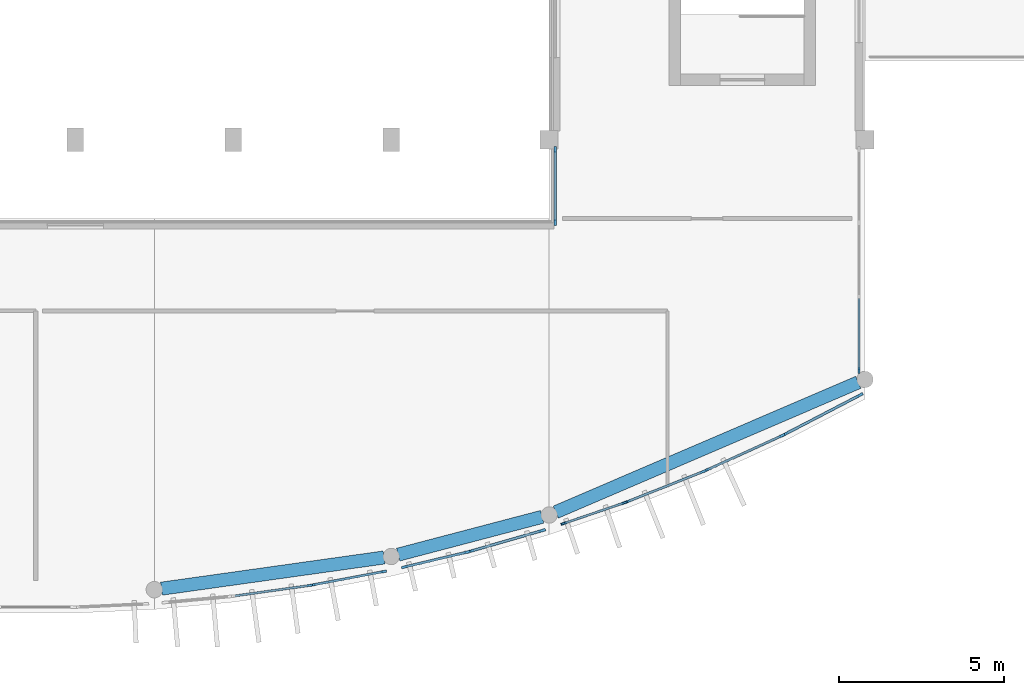
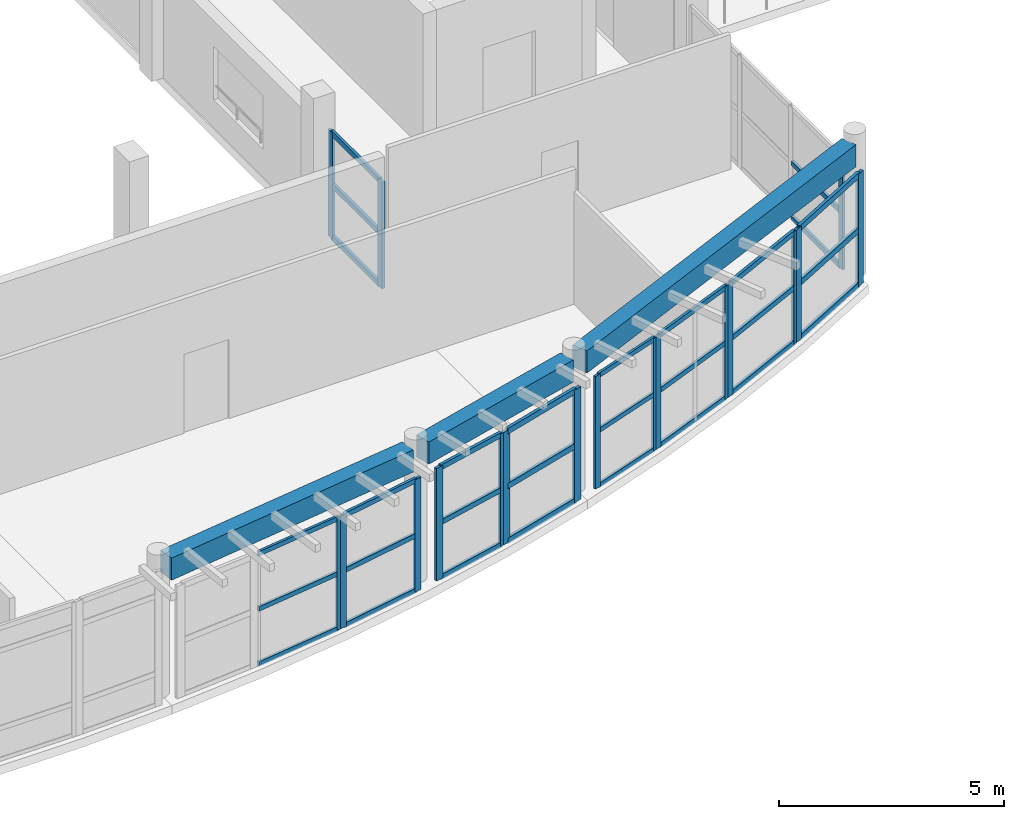
# One storey, part 6 of 32: 47 members, 3 beams, 10 elements without a shape of their own.
"""IFC4 building model written with IfcOpenShell, lengths in metres."""

from ifc_helpers import new_model, si_unit, direction, frame, origin, origin_2d, place, context, subcontext, project, spatial, rectangle, extrude, material, layer, layer_set, material_profile, profile_set, type_object, element, aggregate, save


model = new_model("IFC4")

# Units and contexts
model_context = context("Model", 3, precision=1e-05, world=origin(), true_north=direction((0.0, 1.0)))
body_context = subcontext(model_context, "Body", "Model", "MODEL_VIEW")
ifc_project = project(units=[si_unit("LENGTHUNIT", "METRE"), si_unit("AREAUNIT", "SQUARE_METRE"), si_unit("VOLUMEUNIT", "CUBIC_METRE"), si_unit("PLANEANGLEUNIT", "RADIAN"), si_unit("MASSUNIT", "GRAM", prefix="KILO")], contexts=[model_context])

# Site, building, storey
site_placement = place(None, origin())
site = spatial("IfcSite", under=ifc_project, at=site_placement, CompositionType="ELEMENT")
building_placement = place(site_placement, origin())
building = spatial("IfcBuilding", under=site, at=building_placement, Name="Brisavento Harbour Community Centre", CompositionType="ELEMENT")
storey_placement = place(building_placement, frame((0.0, 0.0, 12.89990234375)))
storey = spatial("IfcBuildingStorey", under=building, at=storey_placement, Name="L03", CompositionType="ELEMENT", Elevation=12.89990234375)

# Beams
ifc_material_1 = material(Name="Concrete C35/45", Category="concrete")
ifc_material_profile_1 = material_profile(ifc_material_1, rectangle(XDim=0.39990234375, YDim=0.60009765625, at=origin_2d()), Name="Concrete C35/45")
ifc_profile_set_1 = profile_set([ifc_material_profile_1], Name="Concrete C35/45")
beam_type = type_object("IfcBeamType", Name="BM-SPN-400x600", PredefinedType="SPANDREL", material=ifc_profile_set_1)
beam_1_placement = place(storey_placement, frame((29.017822265625, 0.75537109375, 3.360107421875), z_axis=(0.990321318847, 0.138793679386, 0.0), x_axis=(-0.138793679386, 0.990321318847, 0.0)))
element("IfcBeam", 1, at=beam_1_placement, inside=storey, type_object=beam_type, Name="L03 curved perimeter spandrel 0678", PredefinedType="SPANDREL", context=body_context, shape_type="SweptSolid", body=[
    extrude(rectangle(XDim=0.39990234375, YDim=0.60009765625, at=origin_2d()), origin(), (0.0, 0.0, 1.0), 6.830322265625),
])
beam_2_placement = place(storey_placement, frame((36.212890625, 1.789794921875, 3.360107421875), z_axis=(0.967167470078, 0.254139892232, 0.0), x_axis=(-0.254139892232, 0.967167470078, 0.0)))
element("IfcBeam", 2, at=beam_2_placement, inside=storey, type_object=beam_type, Name="L03 curved perimeter spandrel 0679", PredefinedType="SPANDREL", context=body_context, shape_type="SweptSolid", body=[
    extrude(rectangle(XDim=0.39990234375, YDim=0.60009765625, at=origin_2d()), origin(), (0.0, 0.0, 1.0), 4.522705078125),
])
beam_3_placement = place(storey_placement, frame((41.002197265625, 3.081787109375, 3.360107421875), z_axis=(0.918969522078, 0.394328565401, 0.0), x_axis=(-0.394328565401, 0.918969522078, 0.0)))
element("IfcBeam", 3, at=beam_3_placement, inside=storey, type_object=beam_type, Name="L03 curved perimeter spandrel 0680", PredefinedType="SPANDREL", context=body_context, shape_type="SweptSolid", body=[
    extrude(rectangle(XDim=0.39990234375, YDim=0.60009765625, at=origin_2d()), origin(), (0.0, 0.0, 1.0), 10.00634765625),
])

# Curtain wall, member
ifc_material_2 = material(Name="Marine-anodised aluminium AW-6063-T6", Category="aluminium")
ifc_layer_1 = layer(ifc_material_2, 0.179931640625, Name="Marine-anodised aluminium AW-6063-T6")
ifc_layer_set_1 = layer_set([ifc_layer_1], Name="Marine-anodised aluminium AW-6063-T6")
curtain_wall_type_1 = type_object("IfcCurtainWallType", Name="CW-SYS-25", PredefinedType="USERDEFINED", material=ifc_layer_set_1)
curtain_wall_1_placement = place(storey_placement, origin())
curtain_wall_1 = element("IfcCurtainWall", 4, at=curtain_wall_1_placement, inside=storey, type_object=curtain_wall_type_1, Name="L03 V1 unitised curtain wall 165", ObjectType="UNITISED CURTAIN WALL", PredefinedType="USERDEFINED")
ifc_material_profile_2 = material_profile(ifc_material_2, rectangle(XDim=0.06494140625, YDim=0.1650390625, at=origin_2d()), Name="Marine-anodised aluminium AW-6063-T6")
ifc_profile_set_2 = profile_set([ifc_material_profile_2], Name="Marine-anodised aluminium AW-6063-T6")
member_type_1 = type_object("IfcMemberType", Name="CWM-01", PredefinedType="MULLION", material=ifc_profile_set_2)
member_1_placement = place(storey_placement, frame((33.525146484375, 0.854248046875, 0.0), z_axis=(0.0, 0.0, 1.0), x_axis=(0.138476944024, -0.990365657711, 0.0)))
member_1 = element("IfcMember", 5, at=member_1_placement, type_object=member_type_1, Name="CW-25 mullion 1", PredefinedType="MULLION", context=body_context, shape_type="SweptSolid", body=[
    extrude(rectangle(XDim=0.06494140625, YDim=0.1650390625, at=origin_2d()), origin(), (0.0, 0.0, 1.0), 3.06005859375),
])

# Curtain wall, members
ifc_layer_2 = layer(ifc_material_2, 0.179931640625, Name="Marine-anodised aluminium AW-6063-T6")
ifc_layer_set_2 = layer_set([ifc_layer_2], Name="Marine-anodised aluminium AW-6063-T6")
curtain_wall_type_2 = type_object("IfcCurtainWallType", Name="CW-SYS-01", PredefinedType="USERDEFINED", material=ifc_layer_set_2)
curtain_wall_2_placement = place(storey_placement, origin())
curtain_wall_2 = element("IfcCurtainWall", 6, at=curtain_wall_2_placement, inside=storey, type_object=curtain_wall_type_2, Name="L03 V1 unitised curtain wall 169", ObjectType="UNITISED CURTAIN WALL", PredefinedType="USERDEFINED")
member_2_placement = place(storey_placement, frame((43.093994140625, 3.368896484375, 0.0), z_axis=(0.0, 0.0, 1.0), x_axis=(0.323178425743, -0.946338050136, 0.0)))
member_2 = element("IfcMember", 7, at=member_2_placement, type_object=member_type_1, Name="CW-01 mullion 1", PredefinedType="MULLION", context=body_context, shape_type="SweptSolid", body=[
    extrude(rectangle(XDim=0.06494140625, YDim=0.1650390625, at=origin_2d()), origin(), (0.0, 0.0, 1.0), 3.06005859375),
])
member_3_placement = place(storey_placement, frame((41.2421875, 2.736328125, 0.0), z_axis=(0.0, 0.0, 1.0), x_axis=(0.323178425743, -0.946338050136, 0.0)))
member_3 = element("IfcMember", 8, at=member_3_placement, type_object=member_type_1, Name="CW-01 mullion 2", PredefinedType="MULLION", context=body_context, shape_type="SweptSolid", body=[
    extrude(rectangle(XDim=0.06494140625, YDim=0.1650390625, at=origin_2d()), origin(), (0.0, 0.0, 1.0), 3.06005859375),
])

ifc_layer_3 = layer(ifc_material_2, 0.179931640625, Name="Marine-anodised aluminium AW-6063-T6")
ifc_layer_set_3 = layer_set([ifc_layer_3], Name="Marine-anodised aluminium AW-6063-T6")
curtain_wall_type_3 = type_object("IfcCurtainWallType", Name="CW-SYS-26", PredefinedType="USERDEFINED", material=ifc_layer_set_3)
curtain_wall_3_placement = place(storey_placement, origin())
curtain_wall_3 = element("IfcCurtainWall", 9, at=curtain_wall_3_placement, inside=storey, type_object=curtain_wall_type_3, Name="L03 V1 unitised curtain wall 166", ObjectType="UNITISED CURTAIN WALL", PredefinedType="USERDEFINED")
ifc_material_profile_3 = material_profile(ifc_material_2, rectangle(XDim=0.070068359375, YDim=0.179931640625, at=origin_2d()), Name="Marine-anodised aluminium AW-6063-T6")
ifc_profile_set_3 = profile_set([ifc_material_profile_3], Name="Marine-anodised aluminium AW-6063-T6")
member_type_2 = type_object("IfcMemberType", Name="CWM-02", PredefinedType="MULLION", material=ifc_profile_set_3)
member_4_placement = place(storey_placement, frame((35.76904296875, 1.273681640625, 0.0), z_axis=(0.0, 0.0, 1.0), x_axis=(0.184689637418, -0.982796895513, 0.0)))
member_4 = element("IfcMember", 10, at=member_4_placement, type_object=member_type_2, Name="CW-26 mullion 1", PredefinedType="MULLION", context=body_context, shape_type="SweptSolid", body=[
    extrude(rectangle(XDim=0.070068359375, YDim=0.179931640625, at=origin_2d()), origin(), (0.0, 0.0, 1.0), 3.06005859375),
])
member_5_placement = place(storey_placement, frame((33.618896484375, 0.86962890625, 0.0), z_axis=(0.0, 0.0, 1.0), x_axis=(0.184689637418, -0.982796895513, 0.0)))
member_5 = element("IfcMember", 11, at=member_5_placement, type_object=member_type_2, Name="CW-26 mullion 2", PredefinedType="MULLION", context=body_context, shape_type="SweptSolid", body=[
    extrude(rectangle(XDim=0.070068359375, YDim=0.179931640625, at=origin_2d()), origin(), (0.0, 0.0, 1.0), 3.06005859375),
])

ifc_layer_4 = layer(ifc_material_2, 0.179931640625, Name="Marine-anodised aluminium AW-6063-T6")
ifc_layer_set_4 = layer_set([ifc_layer_4], Name="Marine-anodised aluminium AW-6063-T6")
curtain_wall_type_4 = type_object("IfcCurtainWallType", Name="CW-SYS-02", PredefinedType="USERDEFINED", material=ifc_layer_set_4)
curtain_wall_4_placement = place(storey_placement, origin())
curtain_wall_4 = element("IfcCurtainWall", 12, at=curtain_wall_4_placement, inside=storey, type_object=curtain_wall_type_4, Name="L03 V1 unitised curtain wall 170", ObjectType="UNITISED CURTAIN WALL", PredefinedType="USERDEFINED")
member_6_placement = place(storey_placement, frame((45.484375, 4.31640625, 0.0), z_axis=(0.0, 0.0, 1.0), x_axis=(0.369379094613, -0.929278798027, 0.0)))
member_6 = element("IfcMember", 13, at=member_6_placement, type_object=member_type_2, Name="CW-02 mullion 1", PredefinedType="MULLION", context=body_context, shape_type="SweptSolid", body=[
    extrude(rectangle(XDim=0.070068359375, YDim=0.179931640625, at=origin_2d()), origin(), (0.0, 0.0, 1.0), 3.06005859375),
])
member_7_placement = place(storey_placement, frame((43.1826171875, 3.401611328125, 0.0), z_axis=(0.0, 0.0, 1.0), x_axis=(0.369379094613, -0.929278798027, 0.0)))
member_7 = element("IfcMember", 14, at=member_7_placement, type_object=member_type_2, Name="CW-02 mullion 2", PredefinedType="MULLION", context=body_context, shape_type="SweptSolid", body=[
    extrude(rectangle(XDim=0.070068359375, YDim=0.179931640625, at=origin_2d()), origin(), (0.0, 0.0, 1.0), 3.06005859375),
])

# Curtain wall, member
ifc_layer_5 = layer(ifc_material_2, 0.179931640625, Name="Marine-anodised aluminium AW-6063-T6")
ifc_layer_set_5 = layer_set([ifc_layer_5], Name="Marine-anodised aluminium AW-6063-T6")
curtain_wall_type_5 = type_object("IfcCurtainWallType", Name="CW-SYS-06", PredefinedType="USERDEFINED", material=ifc_layer_set_5)
curtain_wall_5_placement = place(storey_placement, origin())
curtain_wall_5 = element("IfcCurtainWall", 15, at=curtain_wall_5_placement, inside=storey, type_object=curtain_wall_type_5, Name="L03 V1 unitised curtain wall 174", ObjectType="UNITISED CURTAIN WALL", PredefinedType="USERDEFINED")
member_8_placement = place(storey_placement, frame((50.219970703125, 7.38427734375, 0.0), z_axis=(0.0, 0.0, 1.0), x_axis=(1.0, 0.0, 0.0)))
member_8 = element("IfcMember", 16, at=member_8_placement, type_object=member_type_2, Name="CW-06 mullion 4", PredefinedType="MULLION", context=body_context, shape_type="SweptSolid", body=[
    extrude(rectangle(XDim=0.070068359375, YDim=0.179931640625, at=origin_2d()), origin(), (0.0, 0.0, 1.0), 3.06005859375),
])

# Curtain wall, members
ifc_layer_6 = layer(ifc_material_2, 0.179931640625, Name="Marine-anodised aluminium AW-6063-T6")
ifc_layer_set_6 = layer_set([ifc_layer_6], Name="Marine-anodised aluminium AW-6063-T6")
curtain_wall_type_6 = type_object("IfcCurtainWallType", Name="CW-SYS-27", PredefinedType="USERDEFINED", material=ifc_layer_set_6)
curtain_wall_6_placement = place(storey_placement, origin())
curtain_wall_6 = element("IfcCurtainWall", 17, at=curtain_wall_6_placement, inside=storey, type_object=curtain_wall_type_6, Name="L03 V1 unitised curtain wall 167", ObjectType="UNITISED CURTAIN WALL", PredefinedType="USERDEFINED")
ifc_material_profile_4 = material_profile(ifc_material_2, rectangle(XDim=0.074951171875, YDim=0.18994140625, at=origin_2d()), Name="Marine-anodised aluminium AW-6063-T6")
ifc_profile_set_4 = profile_set([ifc_material_profile_4], Name="Marine-anodised aluminium AW-6063-T6")
member_type_3 = type_object("IfcMemberType", Name="CWM-03", PredefinedType="MULLION", material=ifc_profile_set_4)
member_9_placement = place(storey_placement, frame((38.304443359375, 1.865478515625, 0.0), z_axis=(0.0, 0.0, 1.0), x_axis=(0.230812289714, -0.972998297489, 0.0)))
member_9 = element("IfcMember", 18, at=member_9_placement, type_object=member_type_3, Name="CW-27 mullion 1", PredefinedType="MULLION", context=body_context, shape_type="SweptSolid", body=[
    extrude(rectangle(XDim=0.074951171875, YDim=0.18994140625, at=origin_2d()), origin(), (0.0, 0.0, 1.0), 3.06005859375),
])
member_10_placement = place(storey_placement, frame((36.407958984375, 1.415771484375, 0.0), z_axis=(0.0, 0.0, 1.0), x_axis=(0.230812289714, -0.972998297489, 0.0)))
member_10 = element("IfcMember", 19, at=member_10_placement, type_object=member_type_3, Name="CW-27 mullion 2", PredefinedType="MULLION", context=body_context, shape_type="SweptSolid", body=[
    extrude(rectangle(XDim=0.074951171875, YDim=0.18994140625, at=origin_2d()), origin(), (0.0, 0.0, 1.0), 3.06005859375),
])

ifc_layer_7 = layer(ifc_material_2, 0.179931640625, Name="Marine-anodised aluminium AW-6063-T6")
ifc_layer_set_7 = layer_set([ifc_layer_7], Name="Marine-anodised aluminium AW-6063-T6")
curtain_wall_type_7 = type_object("IfcCurtainWallType", Name="CW-SYS-03", PredefinedType="USERDEFINED", material=ifc_layer_set_7)
curtain_wall_7_placement = place(storey_placement, origin())
curtain_wall_7 = element("IfcCurtainWall", 20, at=curtain_wall_7_placement, inside=storey, type_object=curtain_wall_type_7, Name="L03 V1 unitised curtain wall 171", ObjectType="UNITISED CURTAIN WALL", PredefinedType="USERDEFINED")
member_11_placement = place(storey_placement, frame((47.874755859375, 5.405517578125, 0.0), z_axis=(0.0, 0.0, 1.0), x_axis=(0.415490040189, -0.909597727846, 0.0)))
member_11 = element("IfcMember", 21, at=member_11_placement, type_object=member_type_3, Name="CW-03 mullion 1", PredefinedType="MULLION", context=body_context, shape_type="SweptSolid", body=[
    extrude(rectangle(XDim=0.074951171875, YDim=0.18994140625, at=origin_2d()), origin(), (0.0, 0.0, 1.0), 3.06005859375),
])
member_12_placement = place(storey_placement, frame((45.57568359375, 4.35546875, 0.0), z_axis=(0.0, 0.0, 1.0), x_axis=(0.415490040189, -0.909597727846, 0.0)))
member_12 = element("IfcMember", 22, at=member_12_placement, type_object=member_type_3, Name="CW-03 mullion 2", PredefinedType="MULLION", context=body_context, shape_type="SweptSolid", body=[
    extrude(rectangle(XDim=0.074951171875, YDim=0.18994140625, at=origin_2d()), origin(), (0.0, 0.0, 1.0), 3.06005859375),
])

ifc_layer_8 = layer(ifc_material_2, 0.179931640625, Name="Marine-anodised aluminium AW-6063-T6")
ifc_layer_set_8 = layer_set([ifc_layer_8], Name="Marine-anodised aluminium AW-6063-T6")
curtain_wall_type_8 = type_object("IfcCurtainWallType", Name="CW-SYS-07", PredefinedType="USERDEFINED", material=ifc_layer_set_8)
curtain_wall_8_placement = place(storey_placement, origin())
curtain_wall_8 = element("IfcCurtainWall", 23, at=curtain_wall_8_placement, inside=storey, type_object=curtain_wall_type_8, Name="L03 V1 unitised curtain wall 175", ObjectType="UNITISED CURTAIN WALL", PredefinedType="USERDEFINED")
member_13_placement = place(storey_placement, frame((40.97998046875, 11.887451171875, 0.0), z_axis=(0.0, 0.0, 1.0), x_axis=(-1.0, 0.0, 0.0)))
member_13 = element("IfcMember", 24, at=member_13_placement, type_object=member_type_3, Name="CW-07 mullion 1", PredefinedType="MULLION", context=body_context, shape_type="SweptSolid", body=[
    extrude(rectangle(XDim=0.074951171875, YDim=0.18994140625, at=origin_2d()), origin(), (0.0, 0.0, 1.0), 2.900146484375),
])
member_14_placement = place(storey_placement, frame((40.97998046875, 14.1025390625, 0.0), z_axis=(0.0, 0.0, 1.0), x_axis=(-1.0, 0.0, 0.0)))
member_14 = element("IfcMember", 25, at=member_14_placement, type_object=member_type_3, Name="CW-07 mullion 2", PredefinedType="MULLION", context=body_context, shape_type="SweptSolid", body=[
    extrude(rectangle(XDim=0.074951171875, YDim=0.18994140625, at=origin_2d()), origin(), (0.0, 0.0, 1.0), 2.900146484375),
])

ifc_layer_9 = layer(ifc_material_2, 0.179931640625, Name="Marine-anodised aluminium AW-6063-T6")
ifc_layer_set_9 = layer_set([ifc_layer_9], Name="Marine-anodised aluminium AW-6063-T6")
curtain_wall_type_9 = type_object("IfcCurtainWallType", Name="CW-SYS-28", PredefinedType="USERDEFINED", material=ifc_layer_set_9)
curtain_wall_9_placement = place(storey_placement, origin())
curtain_wall_9 = element("IfcCurtainWall", 26, at=curtain_wall_9_placement, inside=storey, type_object=curtain_wall_type_9, Name="L03 V1 unitised curtain wall 168", ObjectType="UNITISED CURTAIN WALL", PredefinedType="USERDEFINED")
ifc_material_profile_5 = material_profile(ifc_material_2, rectangle(XDim=0.080078125, YDim=0.2099609375, at=origin_2d()), Name="Marine-anodised aluminium AW-6063-T6")
ifc_profile_set_5 = profile_set([ifc_material_profile_5], Name="Marine-anodised aluminium AW-6063-T6")
member_type_4 = type_object("IfcMemberType", Name="CWM-04", PredefinedType="MULLION", material=ifc_profile_set_5)
member_15_placement = place(storey_placement, frame((40.58837890625, 2.521484375, 0.0), z_axis=(0.0, 0.0, 1.0), x_axis=(0.277011917183, -0.960866482785, 0.0)))
member_15 = element("IfcMember", 27, at=member_15_placement, type_object=member_type_4, Name="CW-28 mullion 1", PredefinedType="MULLION", context=body_context, shape_type="SweptSolid", body=[
    extrude(rectangle(XDim=0.080078125, YDim=0.2099609375, at=origin_2d()), origin(), (0.0, 0.0, 1.0), 3.06005859375),
])
member_16_placement = place(storey_placement, frame((38.40576171875, 1.892333984375, 0.0), z_axis=(0.0, 0.0, 1.0), x_axis=(0.277011917183, -0.960866482785, 0.0)))
member_16 = element("IfcMember", 28, at=member_16_placement, type_object=member_type_4, Name="CW-28 mullion 2", PredefinedType="MULLION", context=body_context, shape_type="SweptSolid", body=[
    extrude(rectangle(XDim=0.080078125, YDim=0.2099609375, at=origin_2d()), origin(), (0.0, 0.0, 1.0), 3.06005859375),
])

ifc_layer_10 = layer(ifc_material_2, 0.179931640625, Name="Marine-anodised aluminium AW-6063-T6")
ifc_layer_set_10 = layer_set([ifc_layer_10], Name="Marine-anodised aluminium AW-6063-T6")
curtain_wall_type_10 = type_object("IfcCurtainWallType", Name="CW-SYS-04", PredefinedType="USERDEFINED", material=ifc_layer_set_10)
curtain_wall_10_placement = place(storey_placement, origin())
curtain_wall_10 = element("IfcCurtainWall", 29, at=curtain_wall_10_placement, inside=storey, type_object=curtain_wall_type_10, Name="L03 V1 unitised curtain wall 172", ObjectType="UNITISED CURTAIN WALL", PredefinedType="USERDEFINED")
member_17_placement = place(storey_placement, frame((50.2412109375, 6.634521484375, 0.0), z_axis=(0.0, 0.0, 1.0), x_axis=(0.461731608705, -0.887019684969, 0.0)))
member_17 = element("IfcMember", 30, at=member_17_placement, type_object=member_type_4, Name="CW-04 mullion 1", PredefinedType="MULLION", context=body_context, shape_type="SweptSolid", body=[
    extrude(rectangle(XDim=0.080078125, YDim=0.2099609375, at=origin_2d()), origin(), (0.0, 0.0, 1.0), 3.06005859375),
])
member_18_placement = place(storey_placement, frame((47.96826171875, 5.451416015625, 0.0), z_axis=(0.0, 0.0, 1.0), x_axis=(0.461731608705, -0.887019684969, 0.0)))
member_18 = element("IfcMember", 31, at=member_18_placement, type_object=member_type_4, Name="CW-04 mullion 2", PredefinedType="MULLION", context=body_context, shape_type="SweptSolid", body=[
    extrude(rectangle(XDim=0.080078125, YDim=0.2099609375, at=origin_2d()), origin(), (0.0, 0.0, 1.0), 3.06005859375),
])

# Member
ifc_material_profile_6 = material_profile(ifc_material_2, rectangle(XDim=0.06494140625, YDim=0.125, at=origin_2d()), Name="Marine-anodised aluminium AW-6063-T6")
ifc_profile_set_6 = profile_set([ifc_material_profile_6], Name="Marine-anodised aluminium AW-6063-T6")
member_type_5 = type_object("IfcMemberType", Name="CWT-01", PredefinedType="USERDEFINED", material=ifc_profile_set_6)
member_19_placement = place(storey_placement, frame((33.492919921875, 0.849609375, 0.03271484375), z_axis=(-0.990371128521, -0.138437812002, 0.0), x_axis=(0.138437812002, -0.990371128521, 0.0)))
member_19 = element("IfcMember", 32, at=member_19_placement, type_object=member_type_5, Name="CW-25 transom 1.1", ObjectType="TRANSOM", PredefinedType="USERDEFINED", context=body_context, shape_type="SweptSolid", body=[
    extrude(rectangle(XDim=0.06494140625, YDim=0.125, at=origin_2d()), origin(), (0.0, 0.0, 1.0), 2.25732421875),
])

member_20_placement = place(storey_placement, frame((33.492919921875, 0.849609375, 1.530029296875), z_axis=(-0.990371128521, -0.138437812002, 0.0), x_axis=(0.138437812002, -0.990371128521, 0.0)))
member_20 = element("IfcMember", 33, at=member_20_placement, type_object=member_type_5, Name="CW-25 transom 1.2", ObjectType="TRANSOM", PredefinedType="USERDEFINED", context=body_context, shape_type="SweptSolid", body=[
    extrude(rectangle(XDim=0.06494140625, YDim=0.125, at=origin_2d()), origin(), (0.0, 0.0, 1.0), 2.25732421875),
])

member_21_placement = place(storey_placement, frame((33.492919921875, 0.849609375, 3.027587890625), z_axis=(-0.990371128521, -0.138437812002, 0.0), x_axis=(0.138437812002, -0.990371128521, 0.0)))
member_21 = element("IfcMember", 34, at=member_21_placement, type_object=member_type_5, Name="CW-25 transom 1.3", ObjectType="TRANSOM", PredefinedType="USERDEFINED", context=body_context, shape_type="SweptSolid", body=[
    extrude(rectangle(XDim=0.06494140625, YDim=0.125, at=origin_2d()), origin(), (0.0, 0.0, 1.0), 2.25732421875),
])

aggregate(curtain_wall_1, [member_1, member_19, member_20, member_21])

member_22_placement = place(storey_placement, frame((43.063232421875, 3.3583984375, 0.03271484375), z_axis=(-0.946308459465, -0.323265060816, 0.0), x_axis=(0.323265060816, -0.946308459465, 0.0)))
member_22 = element("IfcMember", 35, at=member_22_placement, type_object=member_type_5, Name="CW-01 transom 1.1", ObjectType="TRANSOM", PredefinedType="USERDEFINED", context=body_context, shape_type="SweptSolid", body=[
    extrude(rectangle(XDim=0.06494140625, YDim=0.125, at=origin_2d()), origin(), (0.0, 0.0, 1.0), 1.891845703125),
])

member_23_placement = place(storey_placement, frame((43.063232421875, 3.3583984375, 1.530029296875), z_axis=(-0.946308459465, -0.323265060816, 0.0), x_axis=(0.323265060816, -0.946308459465, 0.0)))
member_23 = element("IfcMember", 36, at=member_23_placement, type_object=member_type_5, Name="CW-01 transom 1.2", ObjectType="TRANSOM", PredefinedType="USERDEFINED", context=body_context, shape_type="SweptSolid", body=[
    extrude(rectangle(XDim=0.06494140625, YDim=0.125, at=origin_2d()), origin(), (0.0, 0.0, 1.0), 1.891845703125),
])

member_24_placement = place(storey_placement, frame((43.063232421875, 3.3583984375, 3.027587890625), z_axis=(-0.946308459465, -0.323265060816, 0.0), x_axis=(0.323265060816, -0.946308459465, 0.0)))
member_24 = element("IfcMember", 37, at=member_24_placement, type_object=member_type_5, Name="CW-01 transom 1.3", ObjectType="TRANSOM", PredefinedType="USERDEFINED", context=body_context, shape_type="SweptSolid", body=[
    extrude(rectangle(XDim=0.06494140625, YDim=0.125, at=origin_2d()), origin(), (0.0, 0.0, 1.0), 1.891845703125),
])

aggregate(curtain_wall_2, [member_2, member_3, member_22, member_23, member_24])

ifc_material_profile_7 = material_profile(ifc_material_2, rectangle(XDim=0.070068359375, YDim=0.132080078125, at=origin_2d()), Name="Marine-anodised aluminium AW-6063-T6")
ifc_profile_set_7 = profile_set([ifc_material_profile_7], Name="Marine-anodised aluminium AW-6063-T6")
member_type_6 = type_object("IfcMemberType", Name="CWT-02", PredefinedType="USERDEFINED", material=ifc_profile_set_7)
member_25_placement = place(storey_placement, frame((35.734619140625, 1.267333984375, 0.03515625), z_axis=(-0.982797715927, -0.184685271662, 0.0), x_axis=(0.184685271662, -0.982797715927, 0.0)))
member_25 = element("IfcMember", 38, at=member_25_placement, type_object=member_type_6, Name="CW-26 transom 1.1", ObjectType="TRANSOM", PredefinedType="USERDEFINED", context=body_context, shape_type="SweptSolid", body=[
    extrude(rectangle(XDim=0.070068359375, YDim=0.132080078125, at=origin_2d()), origin(), (0.0, 0.0, 1.0), 2.11767578125),
])

member_26_placement = place(storey_placement, frame((35.734619140625, 1.267333984375, 1.530029296875), z_axis=(-0.982797715927, -0.184685271662, 0.0), x_axis=(0.184685271662, -0.982797715927, 0.0)))
member_26 = element("IfcMember", 39, at=member_26_placement, type_object=member_type_6, Name="CW-26 transom 1.2", ObjectType="TRANSOM", PredefinedType="USERDEFINED", context=body_context, shape_type="SweptSolid", body=[
    extrude(rectangle(XDim=0.070068359375, YDim=0.132080078125, at=origin_2d()), origin(), (0.0, 0.0, 1.0), 2.11767578125),
])

member_27_placement = place(storey_placement, frame((35.734619140625, 1.267333984375, 3.025146484375), z_axis=(-0.982797715927, -0.184685271662, 0.0), x_axis=(0.184685271662, -0.982797715927, 0.0)))
member_27 = element("IfcMember", 40, at=member_27_placement, type_object=member_type_6, Name="CW-26 transom 1.3", ObjectType="TRANSOM", PredefinedType="USERDEFINED", context=body_context, shape_type="SweptSolid", body=[
    extrude(rectangle(XDim=0.070068359375, YDim=0.132080078125, at=origin_2d()), origin(), (0.0, 0.0, 1.0), 2.11767578125),
])

aggregate(curtain_wall_3, [member_4, member_5, member_25, member_26, member_27])

member_28_placement = place(storey_placement, frame((45.45166015625, 4.303466796875, 0.03515625), z_axis=(-0.929279112917, -0.369378302416, 0.0), x_axis=(0.369378302416, -0.929279112917, 0.0)))
member_28 = element("IfcMember", 41, at=member_28_placement, type_object=member_type_6, Name="CW-02 transom 1.1", ObjectType="TRANSOM", PredefinedType="USERDEFINED", context=body_context, shape_type="SweptSolid", body=[
    extrude(rectangle(XDim=0.070068359375, YDim=0.132080078125, at=origin_2d()), origin(), (0.0, 0.0, 1.0), 2.406494140625),
])

member_29_placement = place(storey_placement, frame((45.45166015625, 4.303466796875, 1.530029296875), z_axis=(-0.929279112917, -0.369378302416, 0.0), x_axis=(0.369378302416, -0.929279112917, 0.0)))
member_29 = element("IfcMember", 42, at=member_29_placement, type_object=member_type_6, Name="CW-02 transom 1.2", ObjectType="TRANSOM", PredefinedType="USERDEFINED", context=body_context, shape_type="SweptSolid", body=[
    extrude(rectangle(XDim=0.070068359375, YDim=0.132080078125, at=origin_2d()), origin(), (0.0, 0.0, 1.0), 2.406494140625),
])

member_30_placement = place(storey_placement, frame((45.45166015625, 4.303466796875, 3.025146484375), z_axis=(-0.929279112917, -0.369378302416, 0.0), x_axis=(0.369378302416, -0.929279112917, 0.0)))
member_30 = element("IfcMember", 43, at=member_30_placement, type_object=member_type_6, Name="CW-02 transom 1.3", ObjectType="TRANSOM", PredefinedType="USERDEFINED", context=body_context, shape_type="SweptSolid", body=[
    extrude(rectangle(XDim=0.070068359375, YDim=0.132080078125, at=origin_2d()), origin(), (0.0, 0.0, 1.0), 2.406494140625),
])

aggregate(curtain_wall_4, [member_6, member_7, member_28, member_29, member_30])

member_31_placement = place(storey_placement, frame((50.219970703125, 9.577880859375, 0.03515625), z_axis=(0.0, -1.0, 0.0), x_axis=(1.0, 0.0, 0.0)))
member_31 = element("IfcMember", 44, at=member_31_placement, type_object=member_type_6, Name="CW-06 transom 3.1", ObjectType="TRANSOM", PredefinedType="USERDEFINED", context=body_context, shape_type="SweptSolid", body=[
    extrude(rectangle(XDim=0.070068359375, YDim=0.132080078125, at=origin_2d()), origin(), (0.0, 0.0, 1.0), 2.15869140625),
])

member_32_placement = place(storey_placement, frame((50.219970703125, 9.577880859375, 1.530029296875), z_axis=(0.0, -1.0, 0.0), x_axis=(1.0, 0.0, 0.0)))
member_32 = element("IfcMember", 45, at=member_32_placement, type_object=member_type_6, Name="CW-06 transom 3.2", ObjectType="TRANSOM", PredefinedType="USERDEFINED", context=body_context, shape_type="SweptSolid", body=[
    extrude(rectangle(XDim=0.070068359375, YDim=0.132080078125, at=origin_2d()), origin(), (0.0, 0.0, 1.0), 2.15869140625),
])

aggregate(curtain_wall_5, [member_8, member_31, member_32])

ifc_material_profile_8 = material_profile(ifc_material_2, rectangle(XDim=0.074951171875, YDim=0.139892578125, at=origin_2d()), Name="Marine-anodised aluminium AW-6063-T6")
ifc_profile_set_8 = profile_set([ifc_material_profile_8], Name="Marine-anodised aluminium AW-6063-T6")
member_type_7 = type_object("IfcMemberType", Name="CWT-03", PredefinedType="USERDEFINED", material=ifc_profile_set_8)
member_33_placement = place(storey_placement, frame((38.267822265625, 1.85693359375, 0.03759765625), z_axis=(-0.972991802662, -0.2308396672, 0.0), x_axis=(0.2308396672, -0.972991802662, 0.0)))
member_33 = element("IfcMember", 46, at=member_33_placement, type_object=member_type_7, Name="CW-27 transom 1.1", ObjectType="TRANSOM", PredefinedType="USERDEFINED", context=body_context, shape_type="SweptSolid", body=[
    extrude(rectangle(XDim=0.074951171875, YDim=0.139892578125, at=origin_2d()), origin(), (0.0, 0.0, 1.0), 1.8740234375),
])

member_34_placement = place(storey_placement, frame((38.267822265625, 1.85693359375, 1.530029296875), z_axis=(-0.972991802662, -0.2308396672, 0.0), x_axis=(0.2308396672, -0.972991802662, 0.0)))
member_34 = element("IfcMember", 47, at=member_34_placement, type_object=member_type_7, Name="CW-27 transom 1.2", ObjectType="TRANSOM", PredefinedType="USERDEFINED", context=body_context, shape_type="SweptSolid", body=[
    extrude(rectangle(XDim=0.074951171875, YDim=0.139892578125, at=origin_2d()), origin(), (0.0, 0.0, 1.0), 1.8740234375),
])

member_35_placement = place(storey_placement, frame((38.267822265625, 1.85693359375, 3.022705078125), z_axis=(-0.972991802662, -0.2308396672, 0.0), x_axis=(0.2308396672, -0.972991802662, 0.0)))
member_35 = element("IfcMember", 48, at=member_35_placement, type_object=member_type_7, Name="CW-27 transom 1.3", ObjectType="TRANSOM", PredefinedType="USERDEFINED", context=body_context, shape_type="SweptSolid", body=[
    extrude(rectangle(XDim=0.074951171875, YDim=0.139892578125, at=origin_2d()), origin(), (0.0, 0.0, 1.0), 1.8740234375),
])

aggregate(curtain_wall_6, [member_9, member_10, member_33, member_34, member_35])

member_36_placement = place(storey_placement, frame((47.840576171875, 5.39013671875, 0.03759765625), z_axis=(-0.909584143353, -0.415519778303, 0.0), x_axis=(0.415519778303, -0.909584143353, 0.0)))
member_36 = element("IfcMember", 49, at=member_36_placement, type_object=member_type_7, Name="CW-03 transom 1.1", ObjectType="TRANSOM", PredefinedType="USERDEFINED", context=body_context, shape_type="SweptSolid", body=[
    extrude(rectangle(XDim=0.074951171875, YDim=0.139892578125, at=origin_2d()), origin(), (0.0, 0.0, 1.0), 2.452392578125),
])

member_37_placement = place(storey_placement, frame((47.840576171875, 5.39013671875, 1.530029296875), z_axis=(-0.909584143353, -0.415519778303, 0.0), x_axis=(0.415519778303, -0.909584143353, 0.0)))
member_37 = element("IfcMember", 50, at=member_37_placement, type_object=member_type_7, Name="CW-03 transom 1.2", ObjectType="TRANSOM", PredefinedType="USERDEFINED", context=body_context, shape_type="SweptSolid", body=[
    extrude(rectangle(XDim=0.074951171875, YDim=0.139892578125, at=origin_2d()), origin(), (0.0, 0.0, 1.0), 2.452392578125),
])

member_38_placement = place(storey_placement, frame((47.840576171875, 5.39013671875, 3.022705078125), z_axis=(-0.909584143353, -0.415519778303, 0.0), x_axis=(0.415519778303, -0.909584143353, 0.0)))
member_38 = element("IfcMember", 51, at=member_38_placement, type_object=member_type_7, Name="CW-03 transom 1.3", ObjectType="TRANSOM", PredefinedType="USERDEFINED", context=body_context, shape_type="SweptSolid", body=[
    extrude(rectangle(XDim=0.074951171875, YDim=0.139892578125, at=origin_2d()), origin(), (0.0, 0.0, 1.0), 2.452392578125),
])

aggregate(curtain_wall_7, [member_11, member_12, member_36, member_37, member_38])

member_39_placement = place(storey_placement, frame((40.97998046875, 11.925048828125, 0.03759765625), z_axis=(0.0, 1.0, 0.0), x_axis=(-1.0, 0.0, 0.0)))
member_39 = element("IfcMember", 52, at=member_39_placement, type_object=member_type_7, Name="CW-07 transom 1.1", ObjectType="TRANSOM", PredefinedType="USERDEFINED", context=body_context, shape_type="SweptSolid", body=[
    extrude(rectangle(XDim=0.074951171875, YDim=0.139892578125, at=origin_2d()), origin(), (0.0, 0.0, 1.0), 2.139892578125),
])

member_40_placement = place(storey_placement, frame((40.97998046875, 11.925048828125, 1.4501953125), z_axis=(0.0, 1.0, 0.0), x_axis=(-1.0, 0.0, 0.0)))
member_40 = element("IfcMember", 53, at=member_40_placement, type_object=member_type_7, Name="CW-07 transom 1.2", ObjectType="TRANSOM", PredefinedType="USERDEFINED", context=body_context, shape_type="SweptSolid", body=[
    extrude(rectangle(XDim=0.074951171875, YDim=0.139892578125, at=origin_2d()), origin(), (0.0, 0.0, 1.0), 2.139892578125),
])

member_41_placement = place(storey_placement, frame((40.97998046875, 11.925048828125, 2.862548828125), z_axis=(0.0, 1.0, 0.0), x_axis=(-1.0, 0.0, 0.0)))
member_41 = element("IfcMember", 54, at=member_41_placement, type_object=member_type_7, Name="CW-07 transom 1.3", ObjectType="TRANSOM", PredefinedType="USERDEFINED", context=body_context, shape_type="SweptSolid", body=[
    extrude(rectangle(XDim=0.074951171875, YDim=0.139892578125, at=origin_2d()), origin(), (0.0, 0.0, 1.0), 2.139892578125),
])

aggregate(curtain_wall_8, [member_13, member_14, member_39, member_40, member_41])

ifc_material_profile_9 = material_profile(ifc_material_2, rectangle(XDim=0.080078125, YDim=0.155029296875, at=origin_2d()), Name="Marine-anodised aluminium AW-6063-T6")
ifc_profile_set_9 = profile_set([ifc_material_profile_9], Name="Marine-anodised aluminium AW-6063-T6")
member_type_8 = type_object("IfcMemberType", Name="CWT-04", PredefinedType="USERDEFINED", material=ifc_profile_set_9)
member_42_placement = place(storey_placement, frame((40.550048828125, 2.510498046875, 0.0400390625), z_axis=(-0.96085268232, -0.277059782137, 0.0), x_axis=(0.277059782137, -0.96085268232, 0.0)))
member_42 = element("IfcMember", 55, at=member_42_placement, type_object=member_type_8, Name="CW-28 transom 1.1", ObjectType="TRANSOM", PredefinedType="USERDEFINED", context=body_context, shape_type="SweptSolid", body=[
    extrude(rectangle(XDim=0.080078125, YDim=0.155029296875, at=origin_2d()), origin(), (0.0, 0.0, 1.0), 2.19140625),
])

member_43_placement = place(storey_placement, frame((40.550048828125, 2.510498046875, 1.530029296875), z_axis=(-0.96085268232, -0.277059782137, 0.0), x_axis=(0.277059782137, -0.96085268232, 0.0)))
member_43 = element("IfcMember", 56, at=member_43_placement, type_object=member_type_8, Name="CW-28 transom 1.2", ObjectType="TRANSOM", PredefinedType="USERDEFINED", context=body_context, shape_type="SweptSolid", body=[
    extrude(rectangle(XDim=0.080078125, YDim=0.155029296875, at=origin_2d()), origin(), (0.0, 0.0, 1.0), 2.19140625),
])

member_44_placement = place(storey_placement, frame((40.550048828125, 2.510498046875, 3.02001953125), z_axis=(-0.96085268232, -0.277059782137, 0.0), x_axis=(0.277059782137, -0.96085268232, 0.0)))
member_44 = element("IfcMember", 57, at=member_44_placement, type_object=member_type_8, Name="CW-28 transom 1.3", ObjectType="TRANSOM", PredefinedType="USERDEFINED", context=body_context, shape_type="SweptSolid", body=[
    extrude(rectangle(XDim=0.080078125, YDim=0.155029296875, at=origin_2d()), origin(), (0.0, 0.0, 1.0), 2.19140625),
])

aggregate(curtain_wall_9, [member_15, member_16, member_42, member_43, member_44])

member_45_placement = place(storey_placement, frame((50.205810546875, 6.6162109375, 0.0400390625), z_axis=(-0.887010600711, -0.4617490598, 0.0), x_axis=(0.4617490598, -0.887010600711, 0.0)))
member_45 = element("IfcMember", 58, at=member_45_placement, type_object=member_type_8, Name="CW-04 transom 1.1", ObjectType="TRANSOM", PredefinedType="USERDEFINED", context=body_context, shape_type="SweptSolid", body=[
    extrude(rectangle(XDim=0.080078125, YDim=0.155029296875, at=origin_2d()), origin(), (0.0, 0.0, 1.0), 2.482421875),
])

member_46_placement = place(storey_placement, frame((50.205810546875, 6.6162109375, 1.530029296875), z_axis=(-0.887010600711, -0.4617490598, 0.0), x_axis=(0.4617490598, -0.887010600711, 0.0)))
member_46 = element("IfcMember", 59, at=member_46_placement, type_object=member_type_8, Name="CW-04 transom 1.2", ObjectType="TRANSOM", PredefinedType="USERDEFINED", context=body_context, shape_type="SweptSolid", body=[
    extrude(rectangle(XDim=0.080078125, YDim=0.155029296875, at=origin_2d()), origin(), (0.0, 0.0, 1.0), 2.482421875),
])

member_47_placement = place(storey_placement, frame((50.205810546875, 6.6162109375, 3.02001953125), z_axis=(-0.887010600711, -0.4617490598, 0.0), x_axis=(0.4617490598, -0.887010600711, 0.0)))
member_47 = element("IfcMember", 60, at=member_47_placement, type_object=member_type_8, Name="CW-04 transom 1.3", ObjectType="TRANSOM", PredefinedType="USERDEFINED", context=body_context, shape_type="SweptSolid", body=[
    extrude(rectangle(XDim=0.080078125, YDim=0.155029296875, at=origin_2d()), origin(), (0.0, 0.0, 1.0), 2.482421875),
])

aggregate(curtain_wall_10, [member_17, member_18, member_45, member_46, member_47])

save(model, "model.ifc")
